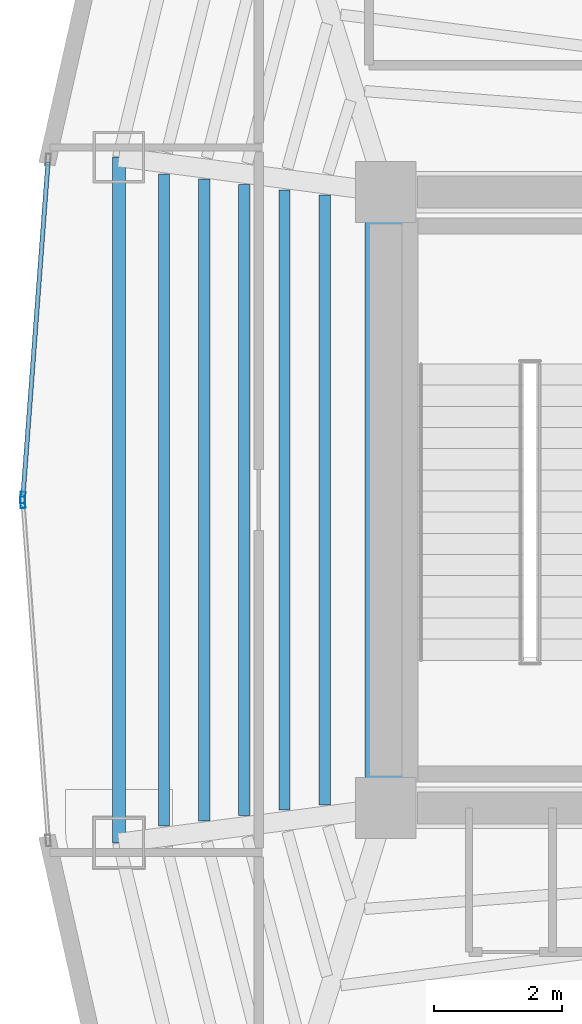
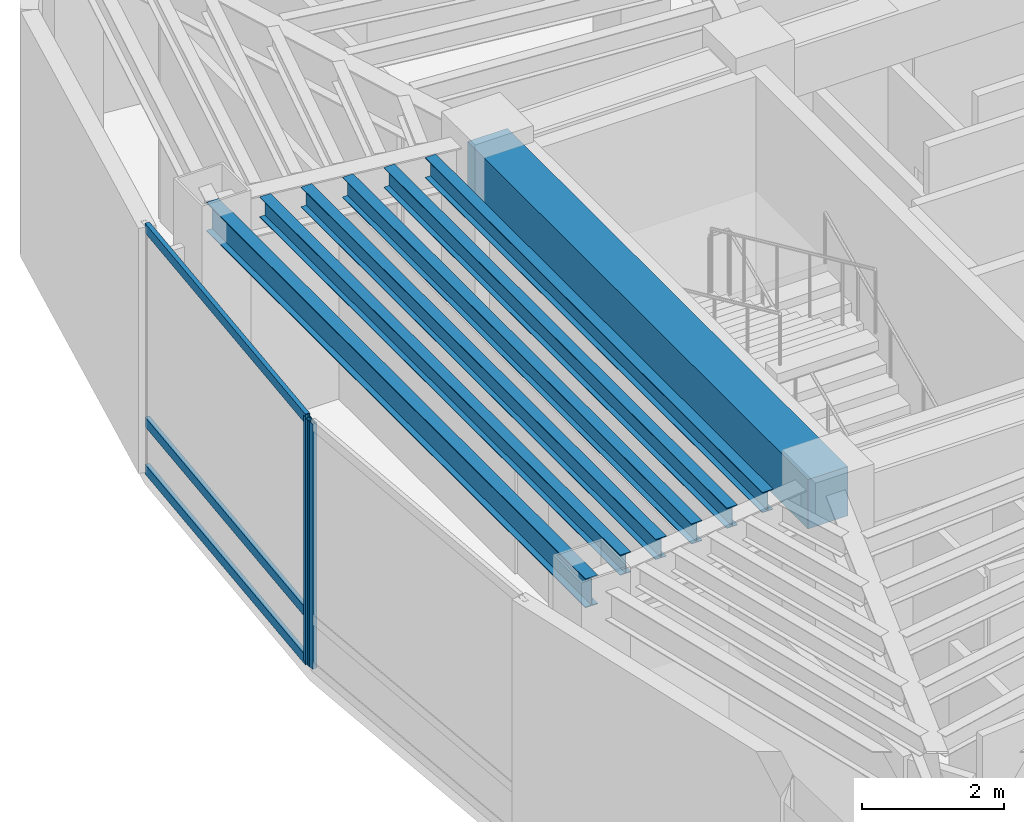
# One storey, part 3 of 17: 7 beams, 5 members, 2 elements without a shape of their own.
"""IFC4 building model written with IfcOpenShell, lengths in metres."""

from ifc_helpers import new_model, si_unit, direction, frame, origin, origin_2d, place, context, subcontext, project, spatial, rectangle, hollow_rectangle, i_section, extrude, material, layer, layer_set, material_profile, profile_set, type_object, element, aggregate, save


model = new_model("IFC4")

# Units and contexts
model_context = context("Model", 3, precision=1e-05, world=origin(), true_north=direction((0.0, 1.0)))
body_context = subcontext(model_context, "Body", "Model", "MODEL_VIEW")
ifc_project = project(units=[si_unit("LENGTHUNIT", "METRE"), si_unit("AREAUNIT", "SQUARE_METRE"), si_unit("VOLUMEUNIT", "CUBIC_METRE"), si_unit("PLANEANGLEUNIT", "RADIAN"), si_unit("MASSUNIT", "GRAM", prefix="KILO")], contexts=[model_context])

# Site, building, storey
site_placement = place(None, origin())
site = spatial("IfcSite", under=ifc_project, at=site_placement, CompositionType="ELEMENT")
building_placement = place(site_placement, origin())
building = spatial("IfcBuilding", under=site, at=building_placement, Name="Menara Vayukalpa", CompositionType="ELEMENT")
storey_placement = place(building_placement, frame((0.0, 0.0, 238.139892578125)))
storey = spatial("IfcBuildingStorey", under=building, at=storey_placement, Name="L60", CompositionType="ELEMENT", Elevation=238.139892578125)

# Beams
ifc_material_1 = material(Name="Concrete C60/75", Category="concrete")
ifc_material_profile_1 = material_profile(ifc_material_1, rectangle(XDim=0.64990234375, YDim=0.85009765625, at=origin_2d()), Name="RC 650x850")
ifc_profile_set_1 = profile_set([ifc_material_profile_1], Name="Concrete C60/75")
beam_type_1 = type_object("IfcBeamType", Name="BM-CB1", PredefinedType="BEAM", material=ifc_profile_set_1)
beam_1_placement = place(storey_placement, frame((17.800048828125, 17.199951171875, 3.795166015625), z_axis=(0.0, 1.0, 0.0), x_axis=(-1.0, 0.0, 0.0)))
element("IfcBeam", 1, at=beam_1_placement, inside=storey, type_object=beam_type_1, Name="L60 Core Tie Beam CBR7", PredefinedType="BEAM", context=body_context, shape_type="SweptSolid", body=[
    extrude(rectangle(XDim=0.64990234375, YDim=0.85009765625, at=origin_2d()), origin(), (0.0, 0.0, 1.0), 9.60009765625),
])
ifc_material_2 = material(Name="Steel S355", Category="steel")
ifc_material_profile_2 = material_profile(ifc_material_2, i_section(OverallWidth=0.175048828125, OverallDepth=0.35009765625, WebThickness=0.007080078125, FlangeThickness=0.010986328125, at=origin_2d()), Name="WF 350x175x7x11")
ifc_profile_set_2 = profile_set([ifc_material_profile_2], Name="Steel S355")
beam_type_2 = type_object("IfcBeamType", Name="BM-SJ3", PredefinedType="JOIST", material=ifc_profile_set_2)
beam_2_placement = place(storey_placement, frame((16.84765625, 26.755126953125, 4.045166015625), z_axis=(0.0, -1.0, 0.0), x_axis=(1.0, 0.0, 0.0)))
element("IfcBeam", 2, at=beam_2_placement, inside=storey, type_object=beam_type_2, Name="L60 Secondary Floor Joist SJ05-1", PredefinedType="JOIST", context=body_context, shape_type="SweptSolid", body=[
    extrude(i_section(OverallWidth=0.175048828125, OverallDepth=0.35009765625, WebThickness=0.007080078125, FlangeThickness=0.010986328125, at=origin_2d()), origin(), (0.0, 0.0, 1.0), 9.51025390625),
])
beam_3_placement = place(storey_placement, frame((16.2216796875, 26.83740234375, 4.045166015625), z_axis=(0.0, -1.0, 0.0), x_axis=(1.0, 0.0, 0.0)))
element("IfcBeam", 3, at=beam_3_placement, inside=storey, type_object=beam_type_2, Name="L60 Secondary Floor Joist SJ05-2", PredefinedType="JOIST", context=body_context, shape_type="SweptSolid", body=[
    extrude(i_section(OverallWidth=0.175048828125, OverallDepth=0.35009765625, WebThickness=0.007080078125, FlangeThickness=0.010986328125, at=origin_2d()), origin(), (0.0, 0.0, 1.0), 9.6748046875),
])
beam_4_placement = place(storey_placement, frame((15.595458984375, 26.919677734375, 4.045166015625), z_axis=(0.0, -1.0, 0.0), x_axis=(1.0, 0.0, 0.0)))
element("IfcBeam", 4, at=beam_4_placement, inside=storey, type_object=beam_type_2, Name="L60 Secondary Floor Joist SJ05-3", PredefinedType="JOIST", context=body_context, shape_type="SweptSolid", body=[
    extrude(i_section(OverallWidth=0.175048828125, OverallDepth=0.35009765625, WebThickness=0.007080078125, FlangeThickness=0.010986328125, at=origin_2d()), origin(), (0.0, 0.0, 1.0), 9.83935546875),
])
beam_5_placement = place(storey_placement, frame((14.969482421875, 27.001953125, 4.045166015625), z_axis=(0.0, -1.0, 0.0), x_axis=(1.0, 0.0, 0.0)))
element("IfcBeam", 5, at=beam_5_placement, inside=storey, type_object=beam_type_2, Name="L60 Secondary Floor Joist SJ05-4", PredefinedType="JOIST", context=body_context, shape_type="SweptSolid", body=[
    extrude(i_section(OverallWidth=0.175048828125, OverallDepth=0.35009765625, WebThickness=0.007080078125, FlangeThickness=0.010986328125, at=origin_2d()), origin(), (0.0, 0.0, 1.0), 10.00390625),
])
beam_6_placement = place(storey_placement, frame((14.343505859375, 27.084228515625, 4.045166015625), z_axis=(0.0, -1.0, 0.0), x_axis=(1.0, 0.0, 0.0)))
element("IfcBeam", 6, at=beam_6_placement, inside=storey, type_object=beam_type_2, Name="L60 Secondary Floor Joist SJ05-5", PredefinedType="JOIST", context=body_context, shape_type="SweptSolid", body=[
    extrude(i_section(OverallWidth=0.175048828125, OverallDepth=0.35009765625, WebThickness=0.007080078125, FlangeThickness=0.010986328125, at=origin_2d()), origin(), (0.0, 0.0, 1.0), 10.16845703125),
])
ifc_material_3 = material(Name="Steel S355", Category="steel")
ifc_material_profile_3 = material_profile(ifc_material_3, i_section(OverallWidth=0.199951171875, OverallDepth=0.5, WebThickness=0.010009765625, FlangeThickness=0.01611328125, at=origin_2d()), Name="WF 500x200x10x16")
ifc_profile_set_3 = profile_set([ifc_material_profile_3], Name="Steel S355")
beam_type_3 = type_object("IfcBeamType", Name="BM-SP3", PredefinedType="SPANDREL", material=ifc_profile_set_3)
beam_7_placement = place(storey_placement, frame((13.638916015625, 27.3466796875, 3.97021484375), z_axis=(0.0, -1.0, 0.0), x_axis=(1.0, 0.0, 0.0)))
element("IfcBeam", 7, at=beam_7_placement, inside=storey, type_object=beam_type_3, Name="L60 Perimeter Spandrel Beam SP05", PredefinedType="SPANDREL", context=body_context, shape_type="SweptSolid", body=[
    extrude(i_section(OverallWidth=0.199951171875, OverallDepth=0.5, WebThickness=0.010009765625, FlangeThickness=0.01611328125, at=origin_2d()), origin(), (0.0, 0.0, 1.0), 10.693359375),
])

# Curtain wall, member
ifc_material_4 = material(Name="Anodised Terracotta Aluminium Alloy 6063-T6", Category="masonry")
ifc_layer = layer(ifc_material_4, 0.179931640625)
ifc_layer_set = layer_set([ifc_layer], Name="Anodised Terracotta Aluminium Alloy 6063-T6")
curtain_wall_type = type_object("IfcCurtainWallType", Name="CW-CW4", PredefinedType="USERDEFINED", material=ifc_layer_set)
curtain_wall_1_placement = place(storey_placement, origin())
curtain_wall_1 = element("IfcCurtainWall", 8, at=curtain_wall_1_placement, inside=storey, type_object=curtain_wall_type, Name="L60 Sky Bar Cantilever Glazed Curtain Wall CW4 10", ObjectType="UNITISED", PredefinedType="USERDEFINED")
ifc_material_5 = material(Name="Anodised Terracotta Aluminium Alloy 6063-T6", Category="masonry")
ifc_material_profile_4 = material_profile(ifc_material_5, hollow_rectangle(XDim=0.074951171875, YDim=0.179931640625, WallThickness=0.00390625, at=origin_2d()), Name="ALU 75x180x4")
ifc_profile_set_4 = profile_set([ifc_material_profile_4], Name="Anodised Terracotta Aluminium Alloy 6063-T6")
member_type_1 = type_object("IfcMemberType", Name="CWM-CW4", PredefinedType="MULLION", material=ifc_profile_set_4)
member_1_placement = place(storey_placement, frame((12.140869140625, 22.037353515625, 0.0), z_axis=(0.0, 0.0, 1.0), x_axis=(0.997199344663, -0.074789484574, 0.0)))
member_1 = element("IfcMember", 9, at=member_1_placement, type_object=member_type_1, Name="CW4 mullion 2", PredefinedType="MULLION", context=body_context, shape_type="SweptSolid", body=[
    extrude(hollow_rectangle(XDim=0.074951171875, YDim=0.179931640625, WallThickness=0.00390625, at=origin_2d()), origin(), (0.0, 0.0, 1.0), 4.22021484375),
])

curtain_wall_2_placement = place(storey_placement, origin())
curtain_wall_2 = element("IfcCurtainWall", 10, at=curtain_wall_2_placement, inside=storey, type_object=curtain_wall_type, Name="L60 Sky Bar Cantilever Glazed Curtain Wall CW4 11", ObjectType="UNITISED", PredefinedType="USERDEFINED")
member_2_placement = place(storey_placement, frame((12.140869140625, 21.962646484375, 0.0), z_axis=(0.0, 0.0, 1.0), x_axis=(0.997199344663, 0.074789484574, 0.0)))
member_2 = element("IfcMember", 11, at=member_2_placement, type_object=member_type_1, Name="CW4 mullion 1", PredefinedType="MULLION", context=body_context, shape_type="SweptSolid", body=[
    extrude(hollow_rectangle(XDim=0.074951171875, YDim=0.179931640625, WallThickness=0.00390625, at=origin_2d()), origin(), (0.0, 0.0, 1.0), 4.22021484375),
])
aggregate(curtain_wall_2, [member_2])

# Member
ifc_material_6 = material(Name="Anodised Terracotta Aluminium Alloy 6063-T6", Category="masonry")
ifc_material_profile_5 = material_profile(ifc_material_6, hollow_rectangle(XDim=0.070068359375, YDim=0.1650390625, WallThickness=0.00390625, at=origin_2d()), Name="ALU 70x165x4")
ifc_profile_set_5 = profile_set([ifc_material_profile_5], Name="Anodised Terracotta Aluminium Alloy 6063-T6")
member_type_2 = type_object("IfcMemberType", Name="CWT-CW4", PredefinedType="USERDEFINED", material=ifc_profile_set_5)
member_3_placement = place(storey_placement, frame((12.533447265625, 27.27197265625, 0.03515625), z_axis=(-0.074808580699, -0.997197912279, 0.0), x_axis=(0.997197912279, -0.074808580699, 0.0)))
member_3 = element("IfcMember", 12, at=member_3_placement, type_object=member_type_2, Name="CW4 transom 1.1", ObjectType="TRANSOM", PredefinedType="USERDEFINED", context=body_context, shape_type="SweptSolid", body=[
    extrude(hollow_rectangle(XDim=0.070068359375, YDim=0.1650390625, WallThickness=0.00390625, at=origin_2d()), origin(), (0.0, 0.0, 1.0), 5.2119140625),
])

member_4_placement = place(storey_placement, frame((12.533447265625, 27.27197265625, 0.85009765625), z_axis=(-0.074808580699, -0.997197912279, 0.0), x_axis=(0.997197912279, -0.074808580699, 0.0)))
member_4 = element("IfcMember", 13, at=member_4_placement, type_object=member_type_2, Name="CW4 transom 1.2", ObjectType="TRANSOM", PredefinedType="USERDEFINED", context=body_context, shape_type="SweptSolid", body=[
    extrude(hollow_rectangle(XDim=0.070068359375, YDim=0.1650390625, WallThickness=0.00390625, at=origin_2d()), origin(), (0.0, 0.0, 1.0), 5.2119140625),
])

member_5_placement = place(storey_placement, frame((12.533447265625, 27.27197265625, 4.18505859375), z_axis=(-0.074808580699, -0.997197912279, 0.0), x_axis=(0.997197912279, -0.074808580699, 0.0)))
member_5 = element("IfcMember", 14, at=member_5_placement, type_object=member_type_2, Name="CW4 transom 1.3", ObjectType="TRANSOM", PredefinedType="USERDEFINED", context=body_context, shape_type="SweptSolid", body=[
    extrude(hollow_rectangle(XDim=0.070068359375, YDim=0.1650390625, WallThickness=0.00390625, at=origin_2d()), origin(), (0.0, 0.0, 1.0), 5.2119140625),
])

aggregate(curtain_wall_1, [member_1, member_3, member_4, member_5])

save(model, "model.ifc")
